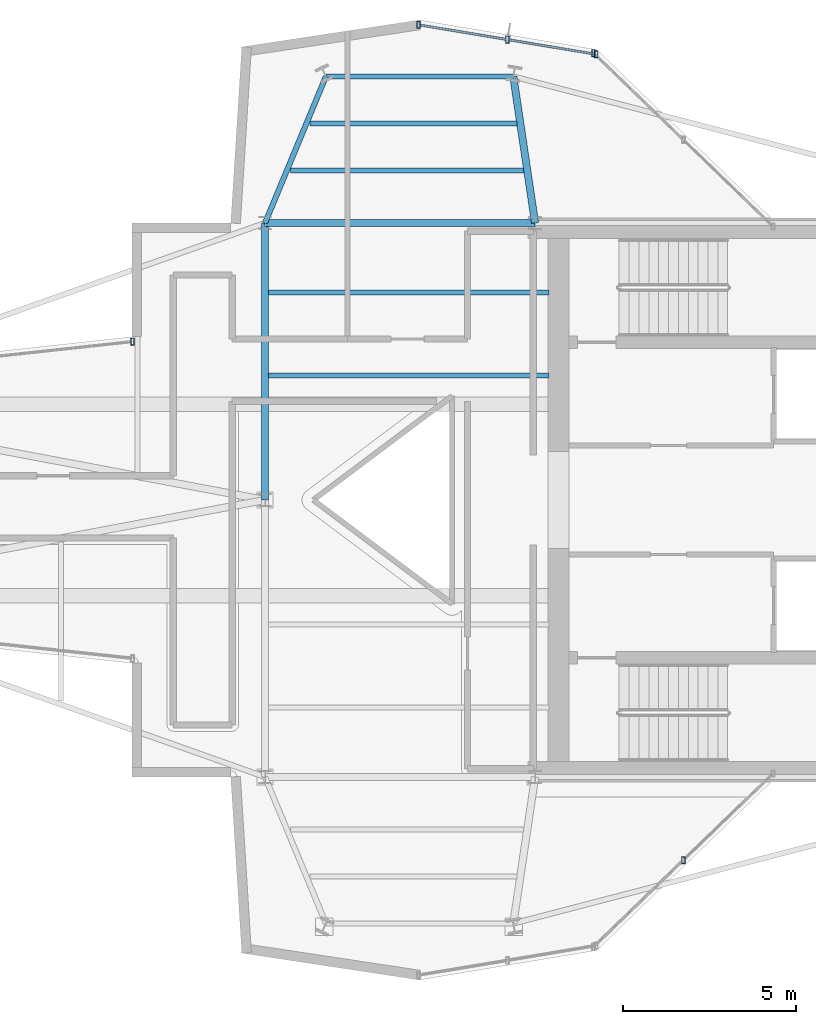
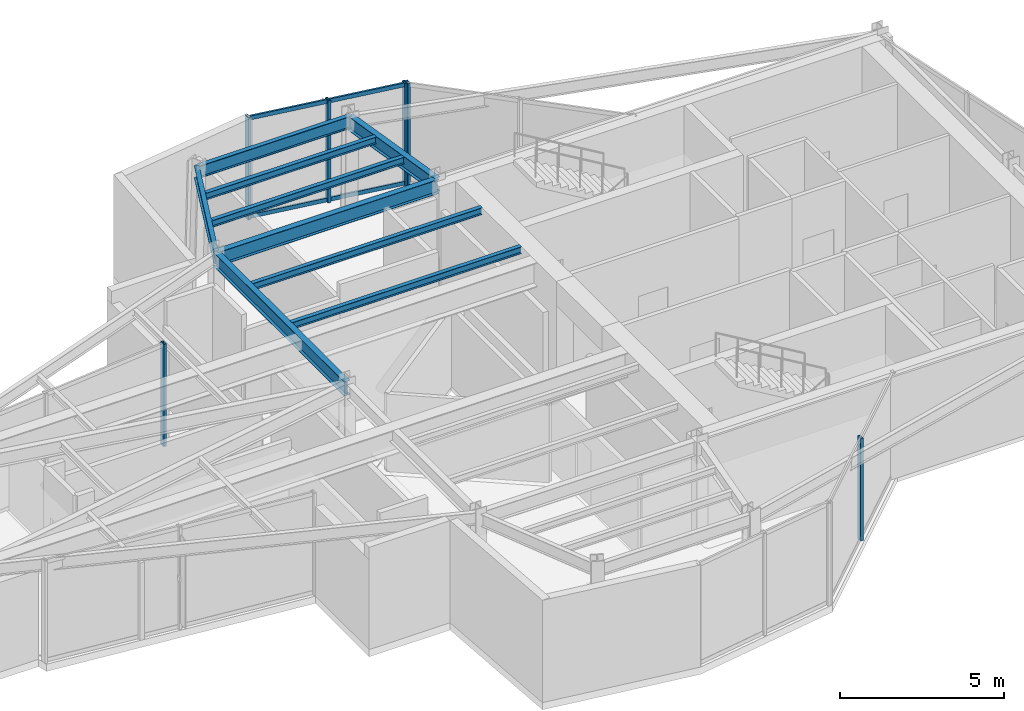
# One storey, part 7 of 18: 9 beams, 8 members, 4 elements without a shape of their own.
"""IFC4 building model written with IfcOpenShell, lengths in metres."""

from ifc_helpers import new_model, si_unit, direction, frame, origin, origin_2d, place, context, subcontext, project, spatial, hollow_rectangle, i_section, extrude, material, layer, layer_set, material_profile, profile_set, type_object, element, aggregate, save


model = new_model("IFC4")

# Units and contexts
model_context = context("Model", 3, precision=1e-05, world=origin(), true_north=direction((0.0, 1.0)))
body_context = subcontext(model_context, "Body", "Model", "MODEL_VIEW")
ifc_project = project(units=[si_unit("LENGTHUNIT", "METRE"), si_unit("AREAUNIT", "SQUARE_METRE"), si_unit("VOLUMEUNIT", "CUBIC_METRE"), si_unit("PLANEANGLEUNIT", "RADIAN"), si_unit("MASSUNIT", "GRAM", prefix="KILO")], contexts=[model_context])

# Site, building, storey
site_placement = place(None, origin())
site = spatial("IfcSite", under=ifc_project, at=site_placement, CompositionType="ELEMENT")
building_placement = place(site_placement, origin())
building = spatial("IfcBuilding", under=site, at=building_placement, Name="Veymaron Broadcast Tower", CompositionType="ELEMENT")
storey_placement = place(building_placement, frame((0.0, 0.0, 319.5)))
storey = spatial("IfcBuildingStorey", under=building, at=storey_placement, Name="L75", CompositionType="ELEMENT", Elevation=319.5)

# Beams
ifc_material_1 = material(Name="Structural steel ASTM A992 Gr 50", Category="steel")
ifc_material_profile_1 = material_profile(ifc_material_1, i_section(OverallWidth=0.208984375, OverallDepth=0.528076171875, WebThickness=0.009521484375, FlangeThickness=0.01318359375, at=origin_2d()), Name="W530X82")
ifc_profile_set_1 = profile_set([ifc_material_profile_1], Name="Structural steel ASTM A992 Gr 50")
beam_type_1 = type_object("IfcBeamType", Name="BM-FG4", PredefinedType="BEAM", material=ifc_profile_set_1)
beam_1_placement = place(storey_placement, frame((31.199951171875, 24.0, 3.5458984375), z_axis=(0.0, 1.0, 0.0), x_axis=(-1.0, 0.0, 0.0)))
element("IfcBeam", 1, at=beam_1_placement, inside=storey, type_object=beam_type_1, Name="L75 primary structural floor girder", PredefinedType="BEAM", context=body_context, shape_type="SweptSolid", body=[
    extrude(i_section(OverallWidth=0.208984375, OverallDepth=0.528076171875, WebThickness=0.009521484375, FlangeThickness=0.01318359375, at=origin_2d()), origin(), (0.0, 0.0, 1.0), 8.0),
])
beam_2_placement = place(storey_placement, frame((31.199951171875, 32.0, 3.5458984375), z_axis=(1.0, 0.0, 0.0), x_axis=(0.0, 1.0, 0.0)))
element("IfcBeam", 2, at=beam_2_placement, inside=storey, type_object=beam_type_1, Name="L75 primary structural floor girder", PredefinedType="BEAM", context=body_context, shape_type="SweptSolid", body=[
    extrude(i_section(OverallWidth=0.208984375, OverallDepth=0.528076171875, WebThickness=0.009521484375, FlangeThickness=0.01318359375, at=origin_2d()), origin(), (0.0, 0.0, 1.0), 7.800048828125),
])
beam_3_placement = place(storey_placement, frame((39.0, 32.0, 3.5458984375), z_axis=(-0.146772016398, 0.989170346908, 0.0), x_axis=(-0.989170346908, -0.146772016398, 0.0)))
element("IfcBeam", 3, at=beam_3_placement, inside=storey, type_object=beam_type_1, Name="L75 primary structural floor girder", PredefinedType="BEAM", context=body_context, shape_type="SweptSolid", body=[
    extrude(i_section(OverallWidth=0.208984375, OverallDepth=0.528076171875, WebThickness=0.009521484375, FlangeThickness=0.01318359375, at=origin_2d()), origin(), (0.0, 0.0, 1.0), 4.2783203125),
])
ifc_material_profile_2 = material_profile(ifc_material_1, i_section(OverallWidth=0.14599609375, OverallDepth=0.258056640625, WebThickness=0.006103515625, FlangeThickness=0.009033203125, at=origin_2d()), Name="W250X33")
ifc_profile_set_2 = profile_set([ifc_material_profile_2], Name="Structural steel ASTM A992 Gr 50")
beam_type_2 = type_object("IfcBeamType", Name="BM-JS4", PredefinedType="JOIST", material=ifc_profile_set_2)
beam_4_placement = place(storey_placement, frame((31.93310546875, 33.5234375, 3.680908203125), z_axis=(1.0, 0.0, 0.0), x_axis=(0.0, 1.0, 0.0)))
element("IfcBeam", 4, at=beam_4_placement, inside=storey, type_object=beam_type_2, Name="L75 Arm-B secondary joist 1", PredefinedType="JOIST", context=body_context, shape_type="SweptSolid", body=[
    extrude(i_section(OverallWidth=0.14599609375, OverallDepth=0.258056640625, WebThickness=0.006103515625, FlangeThickness=0.009033203125, at=origin_2d()), origin(), (0.0, 0.0, 1.0), 6.74072265625),
])
beam_5_placement = place(storey_placement, frame((32.49560546875, 34.877685546875, 3.680908203125), z_axis=(1.0, 0.0, 0.0), x_axis=(0.0, 1.0, 0.0)))
element("IfcBeam", 5, at=beam_5_placement, inside=storey, type_object=beam_type_2, Name="L75 Arm-B secondary joist 2", PredefinedType="JOIST", context=body_context, shape_type="SweptSolid", body=[
    extrude(i_section(OverallWidth=0.14599609375, OverallDepth=0.258056640625, WebThickness=0.006103515625, FlangeThickness=0.009033203125, at=origin_2d()), origin(), (0.0, 0.0, 1.0), 5.977294921875),
])
for number, where, z_axis, x_axis, name in (
    (6, (31.300048828125, 27.60009765625, 3.680908203125), (1.0, 0.0, 0.0), (0.0, 1.0, 0.0), "L75 Hub secondary joist 3"),
    (7, (31.300048828125, 30.0, 3.680908203125), (1.0, 0.0, 0.0), (0.0, 1.0, 0.0), "L75 Hub secondary joist 4"),
):
    element("IfcBeam", number, at=place(storey_placement, frame(where, z_axis=z_axis, x_axis=x_axis)), inside=storey, type_object=beam_type_2, Name=name, PredefinedType="JOIST", context=body_context, shape_type="SweptSolid", body=[
        extrude(i_section(OverallWidth=0.14599609375, OverallDepth=0.258056640625, WebThickness=0.006103515625, FlangeThickness=0.009033203125, at=origin_2d()), origin(), (0.0, 0.0, 1.0), 8.099853515625),
    ])
ifc_material_profile_3 = material_profile(ifc_material_1, i_section(OverallWidth=0.154052734375, OverallDepth=0.458984375, WebThickness=0.009033203125, FlangeThickness=0.015380859375, at=origin_2d()), Name="W460X68")
ifc_profile_set_3 = profile_set([ifc_material_profile_3], Name="Structural steel ASTM A992 Gr 50")
beam_type_3 = type_object("IfcBeamType", Name="BM-SP2", PredefinedType="SPANDREL", material=ifc_profile_set_3)
beam_6_placement = place(storey_placement, frame((31.199951171875, 32.0, 3.58056640625), z_axis=(0.383730045724, 0.923445316198, 0.0), x_axis=(-0.923445316198, 0.383730045724, 0.0)))
element("IfcBeam", 8, at=beam_6_placement, inside=storey, type_object=beam_type_3, Name="L75 primary structural floor girder", PredefinedType="SPANDREL", context=body_context, shape_type="SweptSolid", body=[
    extrude(i_section(OverallWidth=0.154052734375, OverallDepth=0.458984375, WebThickness=0.009033203125, FlangeThickness=0.015380859375, at=origin_2d()), origin(), (0.0, 0.0, 1.0), 4.582763671875),
])
beam_7_placement = place(storey_placement, frame((32.95849609375, 36.23193359375, 3.58056640625), z_axis=(1.0, 0.0, 0.0), x_axis=(0.0, 1.0, 0.0)))
element("IfcBeam", 9, at=beam_7_placement, inside=storey, type_object=beam_type_3, Name="L75 primary structural floor girder", PredefinedType="SPANDREL", context=body_context, shape_type="SweptSolid", body=[
    extrude(i_section(OverallWidth=0.154052734375, OverallDepth=0.458984375, WebThickness=0.009033203125, FlangeThickness=0.015380859375, at=origin_2d()), origin(), (0.0, 0.0, 1.0), 5.41357421875),
])

# Curtain wall, member
ifc_material_2 = material(Name="Anodised aluminium AA 6063-T6 and laminated low-E dark glass", Category="aluminium")
ifc_layer = layer(ifc_material_2, 0.179931640625)
ifc_layer_set = layer_set([ifc_layer], Name="Anodised aluminium AA 6063-T6 and laminated low-E dark glass")
curtain_wall_type = type_object("IfcCurtainWallType", Name="CW-SYS-07", PredefinedType="NOTDEFINED", material=ifc_layer_set)
curtain_wall_1_placement = place(storey_placement, origin())
curtain_wall_1 = element("IfcCurtainWall", 10, at=curtain_wall_1_placement, inside=storey, type_object=curtain_wall_type, Name="L75 dark-glass curtain wall CW-L75-E8-1", PredefinedType="NOTDEFINED")
ifc_material_3 = material(Name="Anodised aluminium AA 6063-T6", Category="aluminium")
ifc_material_profile_4 = material_profile(ifc_material_3, hollow_rectangle(XDim=0.10009765625, YDim=0.199951171875, WallThickness=0.010009765625, at=origin_2d()), Name="RHS200X100X10")
ifc_profile_set_4 = profile_set([ifc_material_profile_4], Name="Anodised aluminium AA 6063-T6")
member_type_1 = type_object("IfcMemberType", Name="CW-MUL-01", PredefinedType="MULLION", material=ifc_profile_set_4)
member_1_placement = place(storey_placement, frame((43.281982421875, 13.59521484375, 0.0), z_axis=(0.0, 0.0, 1.0), x_axis=(1.0, 0.0, 0.0)))
member_1 = element("IfcMember", 11, at=member_1_placement, type_object=member_type_1, Name="CW-L75-E8-1 mullion 1", PredefinedType="MULLION", context=body_context, shape_type="SweptSolid", body=[
    extrude(hollow_rectangle(XDim=0.10009765625, YDim=0.199951171875, WallThickness=0.010009765625, at=origin_2d()), origin(), (0.0, 0.0, 1.0), 3.81005859375),
])
aggregate(curtain_wall_1, [member_1])

curtain_wall_2_placement = place(storey_placement, origin())
curtain_wall_2 = element("IfcCurtainWall", 12, at=curtain_wall_2_placement, inside=storey, type_object=curtain_wall_type, Name="L75 dark-glass curtain wall CW-L75-E13-1", PredefinedType="NOTDEFINED")
member_2_placement = place(storey_placement, frame((40.689208984375, 36.910400390625, 0.0), z_axis=(0.0, 0.0, 1.0), x_axis=(1.0, 0.0, 0.0)))
member_2 = element("IfcMember", 13, at=member_2_placement, type_object=member_type_1, Name="CW-L75-E13-1 mullion 2", PredefinedType="MULLION", context=body_context, shape_type="SweptSolid", body=[
    extrude(hollow_rectangle(XDim=0.10009765625, YDim=0.199951171875, WallThickness=0.010009765625, at=origin_2d()), origin(), (0.0, 0.0, 1.0), 3.81005859375),
])
aggregate(curtain_wall_2, [member_2])

# Curtain wall, members
curtain_wall_3_placement = place(storey_placement, origin())
curtain_wall_3 = element("IfcCurtainWall", 14, at=curtain_wall_3_placement, inside=storey, type_object=curtain_wall_type, Name="L75 dark-glass curtain wall CW-L75-E14-1", PredefinedType="NOTDEFINED")
member_3_placement = place(storey_placement, frame((40.763427734375, 36.873046875, 0.0), z_axis=(0.0, 0.0, 1.0), x_axis=(1.0, 0.0, 0.0)))
member_3 = element("IfcMember", 15, at=member_3_placement, type_object=member_type_1, Name="CW-L75-E14-1 mullion 0", PredefinedType="MULLION", context=body_context, shape_type="SweptSolid", body=[
    extrude(hollow_rectangle(XDim=0.10009765625, YDim=0.199951171875, WallThickness=0.010009765625, at=origin_2d()), origin(), (0.0, 0.0, 1.0), 3.81005859375),
])
member_4_placement = place(storey_placement, frame((38.19873046875, 37.2998046875, 0.0), z_axis=(0.0, 0.0, 1.0), x_axis=(1.0, 0.0, 0.0)))
member_4 = element("IfcMember", 16, at=member_4_placement, type_object=member_type_1, Name="CW-L75-E14-1 mullion 1", PredefinedType="MULLION", context=body_context, shape_type="SweptSolid", body=[
    extrude(hollow_rectangle(XDim=0.10009765625, YDim=0.199951171875, WallThickness=0.010009765625, at=origin_2d()), origin(), (0.0, 0.0, 1.0), 3.81005859375),
])
member_5_placement = place(storey_placement, frame((35.6337890625, 37.726806640625, 0.0), z_axis=(0.0, 0.0, 1.0), x_axis=(1.0, 0.0, 0.0)))
member_5 = element("IfcMember", 17, at=member_5_placement, type_object=member_type_1, Name="CW-L75-E14-1 mullion 2", PredefinedType="MULLION", context=body_context, shape_type="SweptSolid", body=[
    extrude(hollow_rectangle(XDim=0.10009765625, YDim=0.199951171875, WallThickness=0.010009765625, at=origin_2d()), origin(), (0.0, 0.0, 1.0), 3.81005859375),
])

# Curtain wall, member
curtain_wall_4_placement = place(storey_placement, origin())
curtain_wall_4 = element("IfcCurtainWall", 18, at=curtain_wall_4_placement, inside=storey, type_object=curtain_wall_type, Name="L75 dark-glass curtain wall CW-L75-E19-1", PredefinedType="NOTDEFINED")
member_6_placement = place(storey_placement, frame((27.37353515625, 28.576416015625, 0.0), z_axis=(0.0, 0.0, 1.0), x_axis=(1.0, 0.0, 0.0)))
member_6 = element("IfcMember", 19, at=member_6_placement, type_object=member_type_1, Name="CW-L75-E19-1 mullion 0", PredefinedType="MULLION", context=body_context, shape_type="SweptSolid", body=[
    extrude(hollow_rectangle(XDim=0.10009765625, YDim=0.199951171875, WallThickness=0.010009765625, at=origin_2d()), origin(), (0.0, 0.0, 1.0), 3.81005859375),
])
aggregate(curtain_wall_4, [member_6])

# Member
ifc_material_profile_5 = material_profile(ifc_material_3, hollow_rectangle(XDim=0.06494140625, YDim=0.14990234375, WallThickness=0.00390625, at=origin_2d()), Name="AL150X65X4")
ifc_profile_set_5 = profile_set([ifc_material_profile_5], Name="Anodised aluminium AA 6063-T6")
member_type_2 = type_object("IfcMemberType", Name="CW-TRN-01", PredefinedType="USERDEFINED", material=ifc_profile_set_5)
member_7_placement = place(storey_placement, frame((40.714111328125, 36.88134765625, 0.070068359375), z_axis=(-0.986436584547, 0.164142817897, 0.0), x_axis=(-0.164142817897, -0.986436584547, 0.0)))
member_7 = element("IfcMember", 20, at=member_7_placement, type_object=member_type_2, Name="CW-L75-E14-1 transom B", ObjectType="TRANSOM", PredefinedType="USERDEFINED", context=body_context, shape_type="SweptSolid", body=[
    extrude(hollow_rectangle(XDim=0.06494140625, YDim=0.14990234375, WallThickness=0.00390625, at=origin_2d()), origin(), (0.0, 0.0, 1.0), 5.10009765625),
])

member_8_placement = place(storey_placement, frame((40.714111328125, 36.88134765625, 3.739990234375), z_axis=(-0.986436584547, 0.164142817897, 0.0), x_axis=(-0.164142817897, -0.986436584547, 0.0)))
member_8 = element("IfcMember", 21, at=member_8_placement, type_object=member_type_2, Name="CW-L75-E14-1 transom T", ObjectType="TRANSOM", PredefinedType="USERDEFINED", context=body_context, shape_type="SweptSolid", body=[
    extrude(hollow_rectangle(XDim=0.06494140625, YDim=0.14990234375, WallThickness=0.00390625, at=origin_2d()), origin(), (0.0, 0.0, 1.0), 5.10009765625),
])

aggregate(curtain_wall_3, [member_3, member_4, member_5, member_7, member_8])

save(model, "model.ifc")
